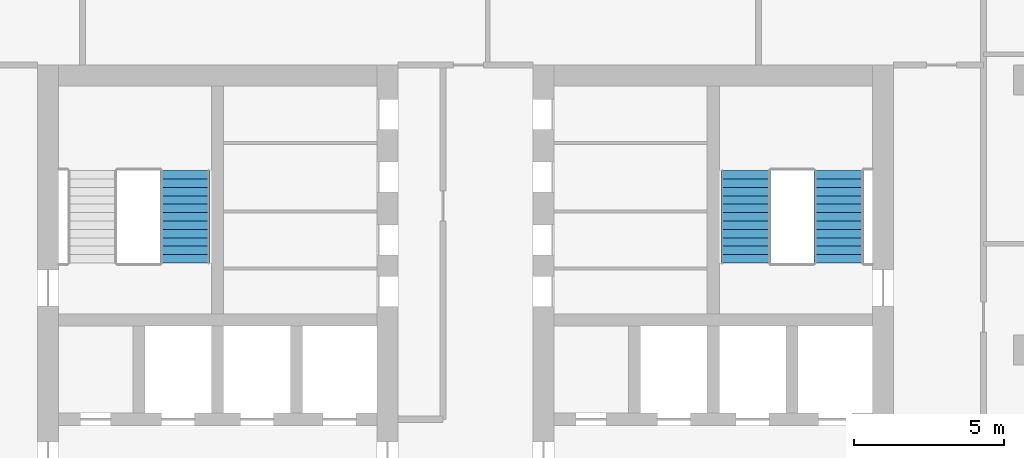
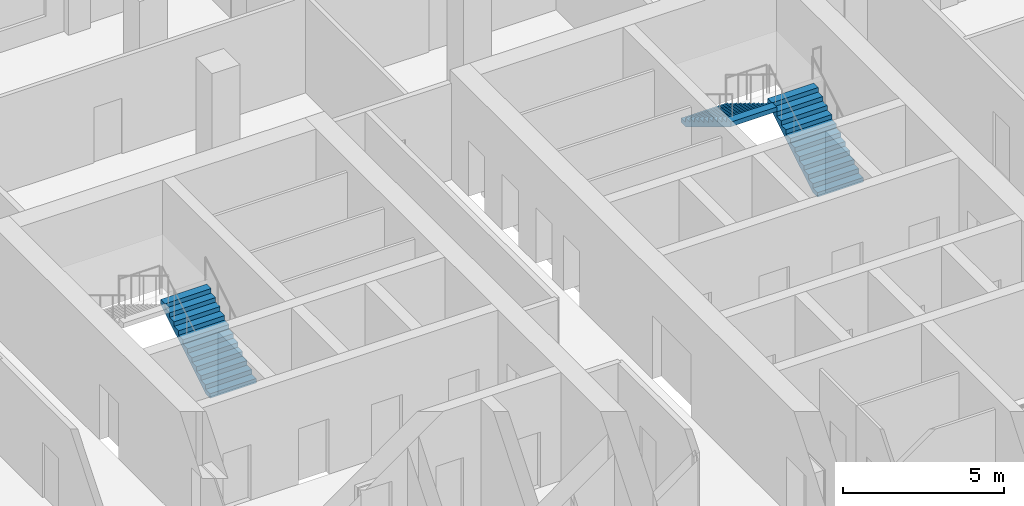
# One storey, part 8 of 17: 3 stair flights, 2 elements without a shape of their own.
"""IFC4 building model written with IfcOpenShell, lengths in metres."""

import ifcopenshell
import ifcopenshell.guid

model = None  # the IFC model being written
_history = None  # IfcOwnerHistory: only IFC2X3 demands one
_inside = {}  # id of a spatial element -> (the spatial element, [elements in it])
_under = {}  # id of a project, library or spatial element -> (it, [spatial elements below it])
_declared = {}  # id of a project -> (the project, [libraries it declares])
_typed = {}  # id of a type object -> (the type object, [elements of that type])
_made_of = {}  # id of a material, layer set ... -> (it, [elements and type objects made of it])


def new_model(schema):
    """Start an empty IFC model of exactly this schema.

    Asked for "IFC4X3", IfcOpenShell would pick the latest addendum, in which some entities
    have other attributes; the version numbers below select the first issue.
    IFC2X3 requires an IfcOwnerHistory on every rooted entity: one is made here for all.
    """
    global model, _history
    if schema == "IFC4X3":
        model = ifcopenshell.file(schema_version=(4, 3, 0, 0))
    else:
        model = ifcopenshell.file(schema=schema)
    _inside.clear()
    _under.clear()
    _declared.clear()
    _typed.clear()
    _made_of.clear()
    _history = None
    if model.schema == "IFC2X3":
        org = make("IfcOrganization", Name="unknown")
        user = make(
            "IfcPersonAndOrganization",
            ThePerson=make("IfcPerson", FamilyName="unknown"),
            TheOrganization=org,
        )
        app = make(
            "IfcApplication",
            ApplicationDeveloper=org,
            Version="unknown",
            ApplicationFullName="unknown",
            ApplicationIdentifier="unknown",
        )
        _history = make(
            "IfcOwnerHistory",
            OwningUser=user,
            OwningApplication=app,
            ChangeAction="ADDED",
            CreationDate=0,
        )
    return model


def make(cls, **values):
    """One entity of the class cls with the attributes given. An attribute that is None is left unset."""
    return model.create_entity(
        cls, **{name: value for name, value in values.items() if value is not None}
    )


def rooted(cls, **values):
    """An entity with a GlobalId (a new one), such as an element, a storey or a relation."""
    return make(cls, GlobalId=ifcopenshell.guid.new(), OwnerHistory=_history, **values)


def si_unit(unit_type, name, prefix=None):
    """IfcSIUnit, for example si_unit("LENGTHUNIT", "METRE", prefix="MILLI")."""
    return make("IfcSIUnit", UnitType=unit_type, Prefix=prefix, Name=name)


def assignment(units):
    """IfcUnitAssignment: the units of a project."""
    return None if units is None else make("IfcUnitAssignment", Units=units)


def point(xyz):
    """IfcCartesianPoint."""
    return None if xyz is None else make("IfcCartesianPoint", Coordinates=xyz)


def direction(xyz):
    """IfcDirection."""
    return None if xyz is None else make("IfcDirection", DirectionRatios=xyz)


def frame(location, z_axis=None, x_axis=None):
    """IfcAxis2Placement3D, a coordinate frame: its origin and axes. An axis left out is left unset."""
    return make(
        "IfcAxis2Placement3D",
        Location=point(location),
        Axis=direction(z_axis),
        RefDirection=direction(x_axis),
    )


def origin():
    """The frame at (0, 0, 0) with its axes left unset."""
    return frame((0.0, 0.0, 0.0))


def place(relative_to, where):
    """IfcLocalPlacement: puts the frame where relative to a parent placement (None: the world)."""
    return make(
        "IfcLocalPlacement", PlacementRelTo=relative_to, RelativePlacement=where
    )


def context(
    kind, dimensions, precision=None, world=None, true_north=None, identifier=None
):
    """IfcGeometricRepresentationContext, for example the 3D "Model" context."""
    return make(
        "IfcGeometricRepresentationContext",
        ContextIdentifier=identifier,
        ContextType=kind,
        CoordinateSpaceDimension=dimensions,
        Precision=precision,
        WorldCoordinateSystem=world,
        TrueNorth=true_north,
    )


def subcontext(parent, identifier, kind, view, scale=None):
    """IfcGeometricRepresentationSubContext, for example "Body" below "Model"."""
    return make(
        "IfcGeometricRepresentationSubContext",
        ContextIdentifier=identifier,
        ContextType=kind,
        ParentContext=parent,
        TargetScale=scale,
        TargetView=view,
    )


def project(units=None, contexts=None):
    """IfcProject with its units and contexts."""
    return rooted(
        "IfcProject",
        Name="project",
        RepresentationContexts=contexts,
        UnitsInContext=assignment(units),
    )


def spatial(cls, under=None, at=None, **own):
    """A site, building, storey or space (cls), placed at a placement, below another one or the project."""
    s = rooted(cls, ObjectPlacement=at, **own)
    if under is not None:
        _under.setdefault(under.id(), (under, []))[1].append(s)
    return s


def polyline(points):
    """IfcPolyline through the points."""
    return make("IfcPolyline", Points=[point(p) for p in points])


def outline(outer, holes=None, kind="AREA"):
    """IfcArbitraryClosedProfileDef: a profile drawn as a closed curve; with holes, ...WithVoids."""
    if holes is None:
        return make("IfcArbitraryClosedProfileDef", ProfileType=kind, OuterCurve=outer)
    return make(
        "IfcArbitraryProfileDefWithVoids",
        ProfileType=kind,
        OuterCurve=outer,
        InnerCurves=holes,
    )


def extrude(swept, where, along, depth):
    """IfcExtrudedAreaSolid: the profile swept, set in the frame where, extruded along a direction by depth."""
    return make(
        "IfcExtrudedAreaSolid",
        SweptArea=swept,
        Position=where,
        ExtrudedDirection=direction(along),
        Depth=depth,
    )


def shape(context_of_items, identifier, shape_type, items):
    """IfcShapeRepresentation: the items that make up one representation, for example the "Body"."""
    return make(
        "IfcShapeRepresentation",
        ContextOfItems=context_of_items,
        RepresentationIdentifier=identifier,
        RepresentationType=shape_type,
        Items=items,
    )


def material(Name=None, Category=None):
    """IfcMaterial."""
    return make("IfcMaterial", Name=Name, Category=Category)


def made_of(thing, what):
    """Note that an element or type object is made of a material, layer set ...; save() writes the relation."""
    if what is not None:
        _made_of.setdefault(what.id(), (what, []))[1].append(thing)
    return thing


def type_object(cls, material=None, **own):
    """A type object (cls), such as IfcWallType, which elements share."""
    return made_of(rooted(cls, **own), material)


def element(
    cls,
    number,
    at=None,
    inside=None,
    cuts=None,
    type_object=None,
    material=None,
    context=None,
    identifier="Body",
    shape_type=None,
    held_by="IfcProductDefinitionShape",
    body=None,
    shapes=None,
    **own,
):
    """One element of the class cls, such as IfcWall. Its Tag is "e" and its number.

    at: its placement. inside: the storey or other place that contains it. cuts: it is an
    opening in that element (IfcRelVoidsElement). A single representation is given by context,
    identifier, shape_type and body (its items); several are given by shapes. held_by: the class
    of the entity that holds the representations. save() writes the other relations.
    """
    e = rooted(cls, Tag="e%d" % number, ObjectPlacement=at, **own)
    if body is not None:
        shapes = [shape(context, identifier, shape_type, body)]
    if shapes is not None:
        e.Representation = make(held_by, Representations=shapes)
    if inside is not None:
        _inside.setdefault(inside.id(), (inside, []))[1].append(e)
    if cuts is not None:
        rooted(
            "IfcRelVoidsElement", RelatingBuildingElement=cuts, RelatedOpeningElement=e
        )
    if type_object is not None:
        _typed.setdefault(type_object.id(), (type_object, []))[1].append(e)
    return made_of(e, material)


def aggregate(whole, parts):
    """IfcRelAggregates: a whole, such as a stair, and the parts it consists of."""
    return rooted("IfcRelAggregates", RelatingObject=whole, RelatedObjects=parts)


def save(model, path):
    """Write the relations noted so far, then the file.

    IfcRelAggregates (storeys below a building ...), IfcRelContainedInSpatialStructure (elements
    in a storey), IfcRelDefinesByType, IfcRelAssociatesMaterial and IfcRelDeclares: one each for
    every whole, place, type object, material and project.
    """
    for whole, parts in _under.values():
        aggregate(whole, parts)
    for where, things in _inside.values():
        rooted(
            "IfcRelContainedInSpatialStructure",
            RelatedElements=things,
            RelatingStructure=where,
        )
    for kind, things in _typed.values():
        rooted("IfcRelDefinesByType", RelatedObjects=things, RelatingType=kind)
    for what, things in _made_of.values():
        rooted("IfcRelAssociatesMaterial", RelatedObjects=things, RelatingMaterial=what)
    for by, libraries in _declared.values():
        rooted("IfcRelDeclares", RelatingContext=by, RelatedDefinitions=libraries)
    model.write(path)


model = new_model("IFC4")

# Units and contexts
model_context = context("Model", 3, precision=1e-05, world=origin(), true_north=direction((0.0, 1.0)))
body_context = subcontext(model_context, "Body", "Model", "MODEL_VIEW")
ifc_project = project(units=[si_unit("LENGTHUNIT", "METRE"), si_unit("AREAUNIT", "SQUARE_METRE"), si_unit("VOLUMEUNIT", "CUBIC_METRE"), si_unit("PLANEANGLEUNIT", "RADIAN"), si_unit("MASSUNIT", "GRAM", prefix="KILO")], contexts=[model_context])

# Site, building, storey
site_placement = place(None, origin())
site = spatial("IfcSite", under=ifc_project, at=site_placement, CompositionType="ELEMENT")
building_placement = place(site_placement, origin())
building = spatial("IfcBuilding", under=site, at=building_placement, Name="Corbel Stack Research Tower", CompositionType="ELEMENT")
storey_placement = place(building_placement, frame((0.0, 0.0, 235.699951171875)))
storey = spatial("IfcBuildingStorey", under=building, at=storey_placement, Name="L53", CompositionType="ELEMENT", Elevation=235.699951171875)

# Stair, stair flight
ifc_material_1 = material(Name="Concrete C40/50", Category="concrete")
stair_type = type_object("IfcStairType", Name="Exit stair 24 risers", PredefinedType="HALF_TURN_STAIR", material=ifc_material_1)
stair_1_placement = place(storey_placement, origin())
stair_1 = element("IfcStair", 1, at=stair_1_placement, inside=storey, type_object=stair_type, Name="L53 Exit stair ST-W2", PredefinedType="HALF_TURN_STAIR")
ifc_material_2 = material(Name="Concrete C40/50", Category="concrete")
stair_flight_type = type_object("IfcStairFlightType", Name="Stair flight 12 risers", PredefinedType="STRAIGHT", material=ifc_material_2)
stair_flight_1_placement = place(storey_placement, frame((-5.574951171875, 11.89990234375, 0.0), z_axis=(0.0, 0.0, 1.0), x_axis=(0.0, 1.0, 0.0)))
stair_flight_1 = element("IfcStairFlight", 2, at=stair_flight_1_placement, type_object=stair_flight_type, Name="ST-W2 flight 1", NumberOfRisers=12, NumberOfTreads=11, PredefinedType="STRAIGHT", RiserHeight=0.170833333, TreadLength=0.28, context=body_context, shape_type="SweptSolid", body=[
    extrude(outline(polyline([(0.0, 0.0), (0.0, 0.1708984375), (0.280029296875, 0.1708984375), (0.280029296875, 0.341552734375), (0.56005859375, 0.341552734375), (0.56005859375, 0.512451171875), (0.840087890625, 0.512451171875), (0.840087890625, 0.683349609375), (1.1201171875, 0.683349609375), (1.1201171875, 0.854248046875), (1.39990234375, 0.854248046875), (1.39990234375, 1.02490234375), (1.679931640625, 1.02490234375), (1.679931640625, 1.19580078125), (1.9599609375, 1.19580078125), (1.9599609375, 1.36669921875), (2.239990234375, 1.36669921875), (2.239990234375, 1.53759765625), (2.52001953125, 1.53759765625), (2.52001953125, 1.708251953125), (2.800048828125, 1.708251953125), (2.800048828125, 1.879150390625), (3.080078125, 1.879150390625), (3.080078125, 2.050048828125), (3.080078125, 1.70361328125), (0.287841796875, 0.0), (0.0, 0.0)])), frame((0.0, 0.824951171875, 0.0), z_axis=(0.0, -1.0, 0.0), x_axis=(1.0, 0.0, 0.0)), (0.0, 0.0, 1.0), 1.64990234375),
])
aggregate(stair_1, [stair_flight_1])

# Stair, stair flights
stair_2_placement = place(storey_placement, origin())
stair_2 = element("IfcStair", 3, at=stair_2_placement, inside=storey, type_object=stair_type, Name="L53 Exit stair ST-E2", PredefinedType="HALF_TURN_STAIR")
stair_flight_2_placement = place(storey_placement, frame((16.175048828125, 11.89990234375, 0.0), z_axis=(0.0, 0.0, 1.0), x_axis=(0.0, 1.0, 0.0)))
stair_flight_2 = element("IfcStairFlight", 4, at=stair_flight_2_placement, type_object=stair_flight_type, Name="ST-E2 flight 1", NumberOfRisers=12, NumberOfTreads=11, PredefinedType="STRAIGHT", RiserHeight=0.170833333, TreadLength=0.28, context=body_context, shape_type="SweptSolid", body=[
    extrude(outline(polyline([(0.0, 0.0), (0.0, 0.1708984375), (0.280029296875, 0.1708984375), (0.280029296875, 0.341552734375), (0.56005859375, 0.341552734375), (0.56005859375, 0.512451171875), (0.840087890625, 0.512451171875), (0.840087890625, 0.683349609375), (1.1201171875, 0.683349609375), (1.1201171875, 0.854248046875), (1.39990234375, 0.854248046875), (1.39990234375, 1.02490234375), (1.679931640625, 1.02490234375), (1.679931640625, 1.19580078125), (1.9599609375, 1.19580078125), (1.9599609375, 1.36669921875), (2.239990234375, 1.36669921875), (2.239990234375, 1.53759765625), (2.52001953125, 1.53759765625), (2.52001953125, 1.708251953125), (2.800048828125, 1.708251953125), (2.800048828125, 1.879150390625), (3.080078125, 1.879150390625), (3.080078125, 2.050048828125), (3.080078125, 1.70361328125), (0.287841796875, 0.0), (0.0, 0.0)])), frame((0.0, 0.824951171875, 0.0), z_axis=(0.0, -1.0, 0.0), x_axis=(1.0, 0.0, 0.0)), (0.0, 0.0, 1.0), 1.64990234375),
])
stair_flight_3_placement = place(storey_placement, frame((13.074951171875, 14.97998046875, 2.050048828125), z_axis=(0.0, 0.0, 1.0), x_axis=(0.0, -1.0, 0.0)))
stair_flight_3 = element("IfcStairFlight", 5, at=stair_flight_3_placement, type_object=stair_flight_type, Name="ST-E2 flight 2", NumberOfRisers=12, NumberOfTreads=11, PredefinedType="STRAIGHT", RiserHeight=0.170833333, TreadLength=0.28, context=body_context, shape_type="SweptSolid", body=[
    extrude(outline(polyline([(0.0, 0.0), (0.0, 0.1708984375), (0.280029296875, 0.1708984375), (0.280029296875, 0.341552734375), (0.56005859375, 0.341552734375), (0.56005859375, 0.512451171875), (0.840087890625, 0.512451171875), (0.840087890625, 0.683349609375), (1.1201171875, 0.683349609375), (1.1201171875, 0.854248046875), (1.39990234375, 0.854248046875), (1.39990234375, 1.02490234375), (1.679931640625, 1.02490234375), (1.679931640625, 1.19580078125), (1.9599609375, 1.19580078125), (1.9599609375, 1.36669921875), (2.239990234375, 1.36669921875), (2.239990234375, 1.53759765625), (2.52001953125, 1.53759765625), (2.52001953125, 1.708251953125), (2.800048828125, 1.708251953125), (2.800048828125, 1.879150390625), (3.080078125, 1.879150390625), (3.080078125, 2.050048828125), (3.080078125, 1.70361328125), (0.287841796875, 0.0), (0.0, 0.0)])), frame((0.0, 0.824951171875, 0.0), z_axis=(0.0, -1.0, 0.0), x_axis=(1.0, 0.0, 0.0)), (0.0, 0.0, 1.0), 1.64990234375),
])
aggregate(stair_2, [stair_flight_2, stair_flight_3])

save(model, "model.ifc")
